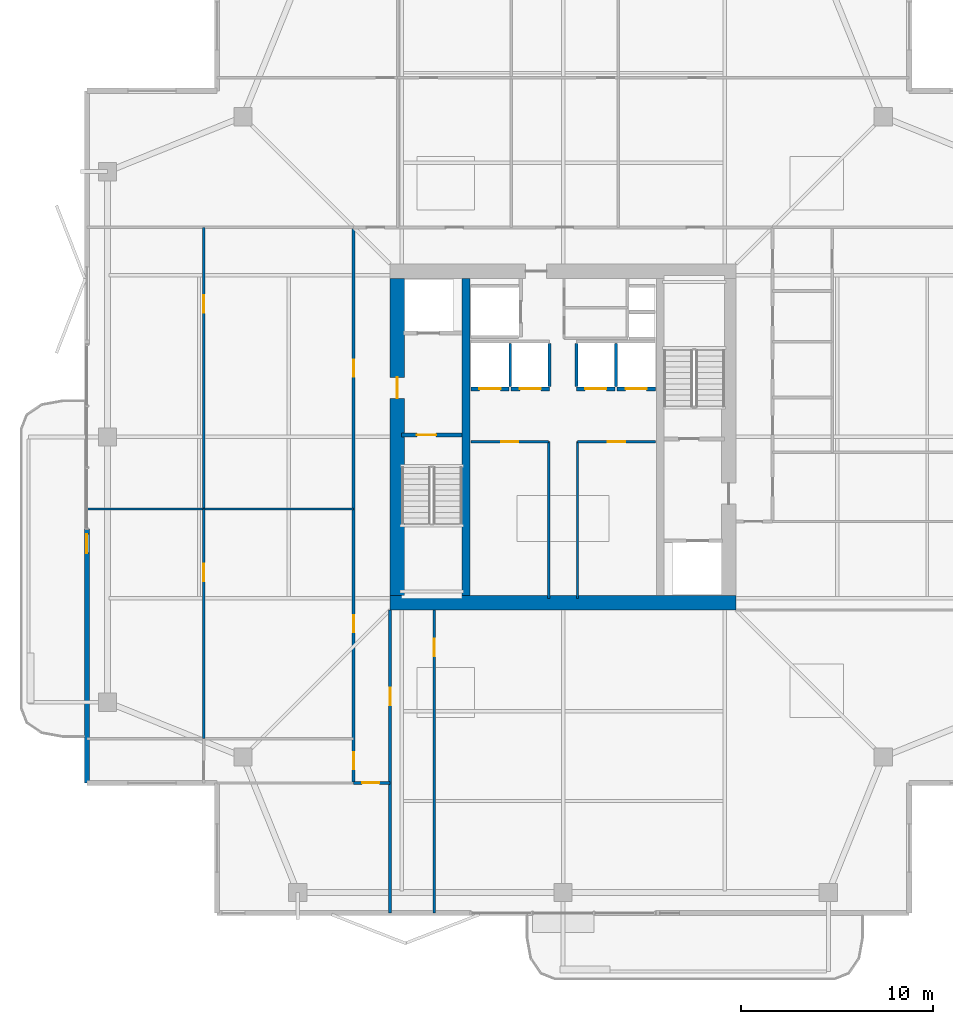
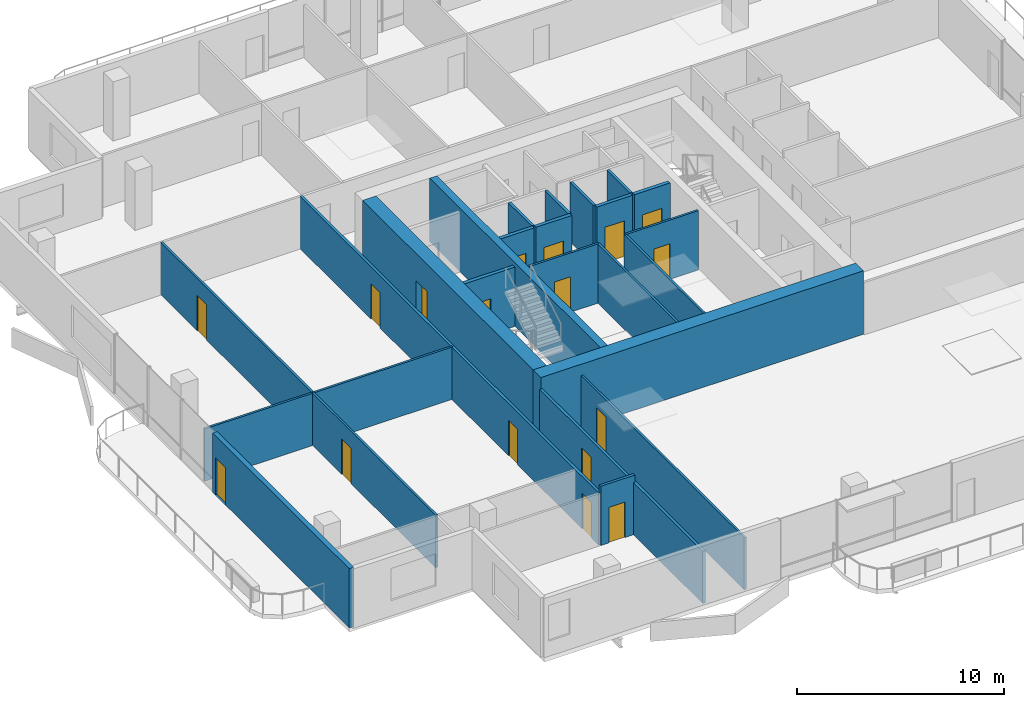
# One storey, part 18 of 25: 24 walls, 17 doors, 17 openings.
"""IFC4 building model written with IfcOpenShell, lengths in metres."""

from ifc_helpers import new_model, si_unit, direction, frame, frame_2d, origin, place, context, subcontext, project, spatial, rectangle, extrude, material, layer, layer_set, type_object, element, fill, save


model = new_model("IFC4")

# Units and contexts
model_context = context("Model", 3, precision=1e-05, world=origin(), true_north=direction((0.0, 1.0)))
body_context = subcontext(model_context, "Body", "Model", "MODEL_VIEW")
ifc_project = project(units=[si_unit("LENGTHUNIT", "METRE"), si_unit("AREAUNIT", "SQUARE_METRE"), si_unit("VOLUMEUNIT", "CUBIC_METRE"), si_unit("PLANEANGLEUNIT", "RADIAN"), si_unit("MASSUNIT", "GRAM", prefix="KILO")], contexts=[model_context])

# Site, building, storey
site_placement = place(None, origin())
site = spatial("IfcSite", under=ifc_project, at=site_placement, CompositionType="ELEMENT")
building_placement = place(site_placement, origin())
building = spatial("IfcBuilding", under=site, at=building_placement, Name="Belovzor Exchange Tower", CompositionType="ELEMENT")
storey_placement = place(building_placement, frame((0.0, 0.0, 269.10009765625)))
storey = spatial("IfcBuildingStorey", under=building, at=storey_placement, Name="L67", CompositionType="ELEMENT", Elevation=269.10009765625)

# Wall, opening, door
ifc_material_1 = material(Name="Acoustic Plasterboard on Galvanised Studs", Category="gypsum")
ifc_layer_1 = layer(ifc_material_1, 0.1201171875)
ifc_layer_set_1 = layer_set([ifc_layer_1], Name="Acoustic Plasterboard on Galvanised Studs")
wall_type_1 = type_object("IfcWallType", Name="Acoustic Double-Stud Partition Wall 120", PredefinedType="PARTITIONING", material=ifc_layer_set_1)
wall_1_placement = place(storey_placement, frame((10.114990234375, 13.10009765625, 0.0), z_axis=(0.0, 0.0, 1.0), x_axis=(0.0, 1.0, 0.0)))
wall_1 = element("IfcWall", 1, at=wall_1_placement, inside=storey, type_object=wall_type_1, Name="W-P120 Partition Wall W-L67-WHDIV-1", PredefinedType="PARTITIONING", context=body_context, shape_type="SweptSolid", body=[
    extrude(rectangle(XDim=11.954833984375, YDim=0.1201171875, at=frame_2d((5.9775390625, 0.0))), origin(), (0.0, 0.0, 1.0), 3.0849609375),
])
opening_1_placement = place(wall_1_placement, frame((8.19091796875, 0.0, 0.0)))
opening_1 = element("IfcOpeningElement", 2, at=opening_1_placement, cuts=wall_1, Name="Opening D-INT-090", PredefinedType="OPENING", context=body_context, shape_type="SweptSolid", body=[
    extrude(rectangle(XDim=0.89990234375, YDim=2.10009765625, at=frame_2d((0.449951171875, 1.050048828125))), frame((0.0, 0.070068359375, 0.0), z_axis=(0.0, -1.0, 0.0), x_axis=(1.0, 0.0, 0.0)), (0.0, 0.0, 1.0), 0.14013671875),
])
ifc_material_2 = material(Name="Veneered Hardwood Acoustic Leaf", Category="wood")
door_type_1 = type_object("IfcDoorType", Name="Trading Suite Acoustic Single Door 900x2100", OperationType="NOTDEFINED", PredefinedType="DOOR", material=ifc_material_2)
door_1_placement = place(opening_1_placement, origin())
door_1 = element("IfcDoor", 3, at=door_1_placement, inside=storey, type_object=door_type_1, Name="D-INT-090 Trading Suite Acoustic Single Door 900x2100", OperationType="SINGLE_SWING_LEFT", OverallHeight=2.10009765625, OverallWidth=0.89990234375, PredefinedType="DOOR", context=body_context, shape_type="SweptSolid", body=[
    extrude(rectangle(XDim=0.89990234375, YDim=2.10009765625, at=frame_2d((0.449951171875, 1.050048828125))), frame((0.0, 0.02490234375, 0.0), z_axis=(0.0, -1.0, 0.0), x_axis=(1.0, 0.0, 0.0)), (0.0, 0.0, 1.0), 0.050048828125),
])
fill(opening_1, door_1)

# Wall
wall_2_placement = place(storey_placement, frame((4.030029296875, 25.054931640625, 0.0), z_axis=(0.0, 0.0, 1.0), x_axis=(1.0, 0.0, 0.0)))
element("IfcWall", 4, at=wall_2_placement, inside=storey, type_object=wall_type_1, Name="W-P120 Partition Wall W-L67-WDIV-2", PredefinedType="PARTITIONING", context=body_context, shape_type="SweptSolid", body=[
    extrude(rectangle(XDim=13.869873046875, YDim=0.1201171875, at=frame_2d((6.93505859375, 0.0))), origin(), (0.0, 0.0, 1.0), 3.0849609375),
])

# Wall, opening, door
wall_3_placement = place(storey_placement, frame((10.114990234375, 25.054931640625, 0.0), z_axis=(0.0, 0.0, 1.0), x_axis=(0.0, 1.0, 0.0)))
wall_3 = element("IfcWall", 5, at=wall_3_placement, inside=storey, type_object=wall_type_1, Name="W-P120 Partition Wall W-L67-WHDIV-2", PredefinedType="PARTITIONING", context=body_context, shape_type="SweptSolid", body=[
    extrude(rectangle(XDim=14.64501953125, YDim=0.1201171875, at=frame_2d((7.322509765625, 0.0))), origin(), (0.0, 0.0, 1.0), 3.0849609375),
])
opening_2_placement = place(wall_3_placement, frame((10.208984375, 0.0, 0.0)))
opening_2 = element("IfcOpeningElement", 6, at=opening_2_placement, cuts=wall_3, Name="Opening D-INT-090", PredefinedType="OPENING", context=body_context, shape_type="SweptSolid", body=[
    extrude(rectangle(XDim=0.89990234375, YDim=2.10009765625, at=frame_2d((0.449951171875, 1.050048828125))), frame((0.0, 0.070068359375, 0.0), z_axis=(0.0, -1.0, 0.0), x_axis=(1.0, 0.0, 0.0)), (0.0, 0.0, 1.0), 0.14013671875),
])
door_2_placement = place(opening_2_placement, origin())
door_2 = element("IfcDoor", 7, at=door_2_placement, inside=storey, type_object=door_type_1, Name="D-INT-090 Trading Suite Acoustic Single Door 900x2100", OperationType="SINGLE_SWING_LEFT", OverallHeight=2.10009765625, OverallWidth=0.89990234375, PredefinedType="DOOR", context=body_context, shape_type="SweptSolid", body=[
    extrude(rectangle(XDim=0.89990234375, YDim=2.10009765625, at=frame_2d((0.449951171875, 1.050048828125))), frame((0.0, 0.02490234375, 0.0), z_axis=(0.0, -1.0, 0.0), x_axis=(1.0, 0.0, 0.0)), (0.0, 0.0, 1.0), 0.050048828125),
])
fill(opening_2, door_2)

wall_4_placement = place(storey_placement, frame((22.10009765625, 4.030029296875, 0.0), z_axis=(0.0, 0.0, 1.0), x_axis=(0.0, 1.0, 0.0)))
wall_4 = element("IfcWall", 8, at=wall_4_placement, inside=storey, type_object=wall_type_1, Name="W-P120 Partition Wall W-L67-SDIV-1", PredefinedType="PARTITIONING", context=body_context, shape_type="SweptSolid", body=[
    extrude(rectangle(XDim=15.77001953125, YDim=0.1201171875, at=frame_2d((7.885009765625, 0.0))), origin(), (0.0, 0.0, 1.0), 3.0849609375),
])
opening_3_placement = place(wall_4_placement, frame((13.3701171875, 0.0, 0.0)))
opening_3 = element("IfcOpeningElement", 9, at=opening_3_placement, cuts=wall_4, Name="Opening D-INT-090", PredefinedType="OPENING", context=body_context, shape_type="SweptSolid", body=[
    extrude(rectangle(XDim=0.89990234375, YDim=2.10009765625, at=frame_2d((0.449951171875, 1.050048828125))), frame((0.0, 0.070068359375, 0.0), z_axis=(0.0, -1.0, 0.0), x_axis=(1.0, 0.0, 0.0)), (0.0, 0.0, 1.0), 0.14013671875),
])
door_3_placement = place(opening_3_placement, origin())
door_3 = element("IfcDoor", 10, at=door_3_placement, inside=storey, type_object=door_type_1, Name="D-INT-090 Trading Suite Acoustic Single Door 900x2100", OperationType="SINGLE_SWING_LEFT", OverallHeight=2.10009765625, OverallWidth=0.89990234375, PredefinedType="DOOR", context=body_context, shape_type="SweptSolid", body=[
    extrude(rectangle(XDim=0.89990234375, YDim=2.10009765625, at=frame_2d((0.449951171875, 1.050048828125))), frame((0.0, 0.02490234375, 0.0), z_axis=(0.0, -1.0, 0.0), x_axis=(1.0, 0.0, 0.0)), (0.0, 0.0, 1.0), 0.050048828125),
])
fill(opening_3, door_3)

ifc_material_3 = material(Name="Fire-Rated Plasterboard on Galvanised Studs", Category="gypsum")
ifc_layer_2 = layer(ifc_material_3, 0.1201171875)
ifc_layer_set_2 = layer_set([ifc_layer_2], Name="Fire-Rated Plasterboard on Galvanised Studs")
wall_type_2 = type_object("IfcWallType", Name="Fire-Rated Double-Stud Partition Wall 120", PredefinedType="PARTITIONING", material=ifc_layer_set_2)
wall_5_placement = place(storey_placement, frame((24.0, 28.550048828125, 0.0), z_axis=(0.0, 0.0, 1.0), x_axis=(1.0, 0.0, 0.0)))
wall_5 = element("IfcWall", 11, at=wall_5_placement, inside=storey, type_object=wall_type_2, Name="W-P120F Partition Wall W-CRWB-L67-N", PredefinedType="PARTITIONING", context=body_context, shape_type="SweptSolid", body=[
    extrude(rectangle(XDim=4.050048828125, YDim=0.1201171875, at=frame_2d((2.02490234375, 0.0))), origin(), (0.0, 0.0, 1.0), 3.5),
])
opening_4_placement = place(wall_5_placement, frame((1.574951171875, 0.0, 0.0)))
opening_4 = element("IfcOpeningElement", 12, at=opening_4_placement, cuts=wall_5, Name="Opening D-FD60-090", PredefinedType="OPENING", context=body_context, shape_type="SweptSolid", body=[
    extrude(rectangle(XDim=0.89990234375, YDim=2.10009765625, at=frame_2d((0.449951171875, 1.050048828125))), frame((0.0, 0.070068359375, 0.0), z_axis=(0.0, -1.0, 0.0), x_axis=(1.0, 0.0, 0.0)), (0.0, 0.0, 1.0), 0.14013671875),
])
ifc_material_4 = material(Name="Acoustic Timber Fire Leaf", Category="wood")
door_type_2 = type_object("IfcDoorType", Name="Core Service & Restroom Fire Door 900x2100", OperationType="NOTDEFINED", PredefinedType="DOOR", material=ifc_material_4)
door_4_placement = place(opening_4_placement, origin())
door_4 = element("IfcDoor", 13, at=door_4_placement, inside=storey, type_object=door_type_2, Name="D-FD60-090 Core Service & Restroom Fire Door 900x2100", OperationType="SINGLE_SWING_LEFT", OverallHeight=2.10009765625, OverallWidth=0.89990234375, PredefinedType="DOOR", context=body_context, shape_type="SweptSolid", body=[
    extrude(rectangle(XDim=0.89990234375, YDim=2.10009765625, at=frame_2d((0.449951171875, 1.050048828125))), frame((0.0, 0.02490234375, 0.0), z_axis=(0.0, -1.0, 0.0), x_axis=(1.0, 0.0, 0.0)), (0.0, 0.0, 1.0), 0.050048828125),
])
fill(opening_4, door_4)

# Wall
wall_6_placement = place(storey_placement, frame((28.050048828125, 20.39990234375, 0.0), z_axis=(0.0, 0.0, 1.0), x_axis=(0.0, 1.0, 0.0)))
element("IfcWall", 14, at=wall_6_placement, inside=storey, type_object=wall_type_2, Name="W-P120F Partition Wall W-CRWB-L67-E", PredefinedType="PARTITIONING", context=body_context, shape_type="SweptSolid", body=[
    extrude(rectangle(XDim=8.150146484375, YDim=0.1201171875, at=frame_2d((4.0751953125, 0.0))), origin(), (0.0, 0.0, 1.0), 3.5),
])

# Wall, opening, door
wall_7_placement = place(storey_placement, frame((29.550048828125, 28.550048828125, 0.0), z_axis=(0.0, 0.0, 1.0), x_axis=(1.0, 0.0, 0.0)))
wall_7 = element("IfcWall", 15, at=wall_7_placement, inside=storey, type_object=wall_type_2, Name="W-P120F Partition Wall W-CREB-L67-N", PredefinedType="PARTITIONING", context=body_context, shape_type="SweptSolid", body=[
    extrude(rectangle(XDim=4.050048828125, YDim=0.1201171875, at=frame_2d((2.02490234375, 0.0))), origin(), (0.0, 0.0, 1.0), 3.5),
])
opening_5_placement = place(wall_7_placement, frame((1.574951171875, 0.0, 0.0)))
opening_5 = element("IfcOpeningElement", 16, at=opening_5_placement, cuts=wall_7, Name="Opening D-FD60-090", PredefinedType="OPENING", context=body_context, shape_type="SweptSolid", body=[
    extrude(rectangle(XDim=0.89990234375, YDim=2.10009765625, at=frame_2d((0.449951171875, 1.050048828125))), frame((0.0, 0.070068359375, 0.0), z_axis=(0.0, -1.0, 0.0), x_axis=(1.0, 0.0, 0.0)), (0.0, 0.0, 1.0), 0.14013671875),
])
door_5_placement = place(opening_5_placement, origin())
door_5 = element("IfcDoor", 17, at=door_5_placement, inside=storey, type_object=door_type_2, Name="D-FD60-090 Core Service & Restroom Fire Door 900x2100", OperationType="SINGLE_SWING_RIGHT", OverallHeight=2.10009765625, OverallWidth=0.89990234375, PredefinedType="DOOR", context=body_context, shape_type="SweptSolid", body=[
    extrude(rectangle(XDim=0.89990234375, YDim=2.10009765625, at=frame_2d((0.449951171875, 1.050048828125))), frame((0.0, 0.02490234375, 0.0), z_axis=(0.0, -1.0, 0.0), x_axis=(1.0, 0.0, 0.0)), (0.0, 0.0, 1.0), 0.050048828125),
])
fill(opening_5, door_5)

# Wall
wall_8_placement = place(storey_placement, frame((29.550048828125, 20.39990234375, 0.0), z_axis=(0.0, 0.0, 1.0), x_axis=(0.0, 1.0, 0.0)))
element("IfcWall", 18, at=wall_8_placement, inside=storey, type_object=wall_type_2, Name="W-P120F Partition Wall W-CREB-L67-W", PredefinedType="PARTITIONING", context=body_context, shape_type="SweptSolid", body=[
    extrude(rectangle(XDim=8.150146484375, YDim=0.1201171875, at=frame_2d((4.0751953125, 0.0))), origin(), (0.0, 0.0, 1.0), 3.5),
])

# Wall, opening, door
ifc_material_5 = material(Name="Fire-Rated Gypsum Block and Mineral Wool", Category="gypsum")
ifc_layer_3 = layer(ifc_material_5, 0.14990234375)
ifc_layer_set_3 = layer_set([ifc_layer_3], Name="Fire-Rated Gypsum Block and Mineral Wool")
wall_type_3 = type_object("IfcWallType", Name="Fire-Rated Gypsum Block Corridor Wall 150", PredefinedType="PARTITIONING", material=ifc_layer_set_3)
wall_9_placement = place(storey_placement, frame((17.89990234375, 10.800048828125, 0.0), z_axis=(0.0, 0.0, 1.0), x_axis=(1.0, 0.0, 0.0)))
wall_9 = element("IfcWall", 19, at=wall_9_placement, inside=storey, type_object=wall_type_3, Name="W-P150 Partition Wall W-L67-CW-END", PredefinedType="PARTITIONING", context=body_context, shape_type="SweptSolid", body=[
    extrude(rectangle(XDim=1.900146484375, YDim=0.14990234375, at=frame_2d((0.9501953125, 0.0))), origin(), (0.0, 0.0, 1.0), 3.5),
])
opening_6_placement = place(wall_9_placement, frame((0.449951171875, 0.0, 0.0)))
opening_6 = element("IfcOpeningElement", 20, at=opening_6_placement, cuts=wall_9, Name="Opening D-FD60-090", PredefinedType="OPENING", context=body_context, shape_type="SweptSolid", body=[
    extrude(rectangle(XDim=0.89990234375, YDim=2.10009765625, at=frame_2d((0.449951171875, 1.050048828125))), frame((0.0, 0.0849609375, 0.0), z_axis=(0.0, -1.0, 0.0), x_axis=(1.0, 0.0, 0.0)), (0.0, 0.0, 1.0), 0.169921875),
])
door_6_placement = place(opening_6_placement, origin())
door_6 = element("IfcDoor", 21, at=door_6_placement, inside=storey, type_object=door_type_2, Name="D-FD60-090 Core Service & Restroom Fire Door 900x2100", OperationType="SINGLE_SWING_LEFT", OverallHeight=2.10009765625, OverallWidth=0.89990234375, PredefinedType="DOOR", context=body_context, shape_type="SweptSolid", body=[
    extrude(rectangle(XDim=0.89990234375, YDim=2.10009765625, at=frame_2d((0.449951171875, 1.050048828125))), frame((0.0, 0.02490234375, 0.0), z_axis=(0.0, -1.0, 0.0), x_axis=(1.0, 0.0, 0.0)), (0.0, 0.0, 1.0), 0.050048828125),
])
fill(opening_6, door_6)

wall_10_placement = place(storey_placement, frame((19.800048828125, 4.030029296875, 0.0), z_axis=(0.0, 0.0, 1.0), x_axis=(0.0, 1.0, 0.0)))
wall_10 = element("IfcWall", 22, at=wall_10_placement, inside=storey, type_object=wall_type_3, Name="W-P150 Partition Wall W-L67-CW-E", PredefinedType="PARTITIONING", context=body_context, shape_type="SweptSolid", body=[
    extrude(rectangle(XDim=15.77001953125, YDim=0.14990234375, at=frame_2d((7.885009765625, 0.0))), origin(), (0.0, 0.0, 1.0), 3.0849609375),
])
opening_7_placement = place(wall_10_placement, frame((10.820068359375, 0.0, 0.0)))
opening_7 = element("IfcOpeningElement", 23, at=opening_7_placement, cuts=wall_10, Name="Opening D-FD60-090", PredefinedType="OPENING", context=body_context, shape_type="SweptSolid", body=[
    extrude(rectangle(XDim=0.89990234375, YDim=2.10009765625, at=frame_2d((0.449951171875, 1.050048828125))), frame((0.0, 0.0849609375, 0.0), z_axis=(0.0, -1.0, 0.0), x_axis=(1.0, 0.0, 0.0)), (0.0, 0.0, 1.0), 0.169921875),
])
door_7_placement = place(opening_7_placement, origin())
door_7 = element("IfcDoor", 24, at=door_7_placement, inside=storey, type_object=door_type_2, Name="D-FD60-090 Core Service & Restroom Fire Door 900x2100", OperationType="SINGLE_SWING_RIGHT", OverallHeight=2.10009765625, OverallWidth=0.89990234375, PredefinedType="DOOR", context=body_context, shape_type="SweptSolid", body=[
    extrude(rectangle(XDim=0.89990234375, YDim=2.10009765625, at=frame_2d((0.449951171875, 1.050048828125))), frame((0.0, 0.02490234375, 0.0), z_axis=(0.0, -1.0, 0.0), x_axis=(1.0, 0.0, 0.0)), (0.0, 0.0, 1.0), 0.050048828125),
])
fill(opening_7, door_7)

# Wall, openings, doors
wall_11_placement = place(storey_placement, frame((17.89990234375, 10.800048828125, 0.0), z_axis=(0.0, 0.0, 1.0), x_axis=(0.0, 1.0, 0.0)))
wall_11 = element("IfcWall", 25, at=wall_11_placement, inside=storey, type_object=wall_type_3, Name="W-P150 Partition Wall W-L67-CW", PredefinedType="PARTITIONING", context=body_context, shape_type="SweptSolid", body=[
    extrude(rectangle(XDim=28.89990234375, YDim=0.14990234375, at=frame_2d((14.449951171875, 0.0))), origin(), (0.0, 0.0, 1.0), 3.0849609375),
])
opening_8_placement = place(wall_11_placement, frame((0.699951171875, 0.0, 0.0)))
opening_8 = element("IfcOpeningElement", 26, at=opening_8_placement, cuts=wall_11, Name="Opening D-INT-090", PredefinedType="OPENING", context=body_context, shape_type="SweptSolid", body=[
    extrude(rectangle(XDim=0.89990234375, YDim=2.10009765625, at=frame_2d((0.449951171875, 1.050048828125))), frame((0.0, 0.0849609375, 0.0), z_axis=(0.0, -1.0, 0.0), x_axis=(1.0, 0.0, 0.0)), (0.0, 0.0, 1.0), 0.169921875),
])
opening_9_placement = place(wall_11_placement, frame((7.827880859375, 0.0, 0.0)))
opening_9 = element("IfcOpeningElement", 27, at=opening_9_placement, cuts=wall_11, Name="Opening D-INT-090", PredefinedType="OPENING", context=body_context, shape_type="SweptSolid", body=[
    extrude(rectangle(XDim=0.89990234375, YDim=2.10009765625, at=frame_2d((0.449951171875, 1.050048828125))), frame((0.0, 0.0849609375, 0.0), z_axis=(0.0, -1.0, 0.0), x_axis=(1.0, 0.0, 0.0)), (0.0, 0.0, 1.0), 0.169921875),
])
opening_10_placement = place(wall_11_placement, frame((21.126953125, 0.0, 0.0)))
opening_10 = element("IfcOpeningElement", 28, at=opening_10_placement, cuts=wall_11, Name="Opening D-INT-090", PredefinedType="OPENING", context=body_context, shape_type="SweptSolid", body=[
    extrude(rectangle(XDim=0.89990234375, YDim=2.10009765625, at=frame_2d((0.449951171875, 1.050048828125))), frame((0.0, 0.0849609375, 0.0), z_axis=(0.0, -1.0, 0.0), x_axis=(1.0, 0.0, 0.0)), (0.0, 0.0, 1.0), 0.169921875),
])
door_8_placement = place(opening_8_placement, origin())
door_8 = element("IfcDoor", 29, at=door_8_placement, inside=storey, type_object=door_type_1, Name="D-INT-090 Trading Suite Acoustic Single Door 900x2100", OperationType="SINGLE_SWING_RIGHT", OverallHeight=2.10009765625, OverallWidth=0.89990234375, PredefinedType="DOOR", context=body_context, shape_type="SweptSolid", body=[
    extrude(rectangle(XDim=0.89990234375, YDim=2.10009765625, at=frame_2d((0.449951171875, 1.050048828125))), frame((0.0, 0.02490234375, 0.0), z_axis=(0.0, -1.0, 0.0), x_axis=(1.0, 0.0, 0.0)), (0.0, 0.0, 1.0), 0.050048828125),
])
fill(opening_8, door_8)
door_9_placement = place(opening_9_placement, origin())
door_9 = element("IfcDoor", 30, at=door_9_placement, inside=storey, type_object=door_type_1, Name="D-INT-090 Trading Suite Acoustic Single Door 900x2100", OperationType="SINGLE_SWING_LEFT", OverallHeight=2.10009765625, OverallWidth=0.89990234375, PredefinedType="DOOR", context=body_context, shape_type="SweptSolid", body=[
    extrude(rectangle(XDim=0.89990234375, YDim=2.10009765625, at=frame_2d((0.449951171875, 1.050048828125))), frame((0.0, 0.02490234375, 0.0), z_axis=(0.0, -1.0, 0.0), x_axis=(1.0, 0.0, 0.0)), (0.0, 0.0, 1.0), 0.050048828125),
])
fill(opening_9, door_9)
door_10_placement = place(opening_10_placement, origin())
door_10 = element("IfcDoor", 31, at=door_10_placement, inside=storey, type_object=door_type_1, Name="D-INT-090 Trading Suite Acoustic Single Door 900x2100", OperationType="SINGLE_SWING_RIGHT", OverallHeight=2.10009765625, OverallWidth=0.89990234375, PredefinedType="DOOR", context=body_context, shape_type="SweptSolid", body=[
    extrude(rectangle(XDim=0.89990234375, YDim=2.10009765625, at=frame_2d((0.449951171875, 1.050048828125))), frame((0.0, 0.02490234375, 0.0), z_axis=(0.0, -1.0, 0.0), x_axis=(1.0, 0.0, 0.0)), (0.0, 0.0, 1.0), 0.050048828125),
])
fill(opening_10, door_10)

# Wall, opening, door
ifc_material_6 = material(Name="Precast concrete C40/50", Category="concrete")
ifc_layer_4 = layer(ifc_material_6, 0.260009765625)
ifc_layer_set_4 = layer_set([ifc_layer_4], Name="Precast concrete C40/50")
wall_type_4 = type_object("IfcWallType", Name="Precast Concrete Perimeter Loggia Frame Wall 260", PredefinedType="SOLIDWALL", material=ifc_layer_set_4)
wall_12_placement = place(storey_placement, frame((4.030029296875, 10.800048828125, 0.0), z_axis=(0.0, 0.0, 1.0), x_axis=(0.0, 1.0, 0.0)))
wall_12 = element("IfcWall", 32, at=wall_12_placement, inside=storey, type_object=wall_type_4, Name="W-EXT260 Precast Concrete Perimeter Loggia Frame Wall 260 L67", PredefinedType="SOLIDWALL", context=body_context, shape_type="SweptSolid", body=[
    extrude(rectangle(XDim=13.199951171875, YDim=0.260009765625, at=frame_2d((6.60009765625, 0.0))), origin(), (0.0, 0.0, 1.0), 3.5),
])
opening_11_placement = place(wall_12_placement, frame((11.949951171875, 0.0, 0.0)))
opening_11 = element("IfcOpeningElement", 33, at=opening_11_placement, cuts=wall_12, Name="Opening D-BAL100", PredefinedType="OPENING", context=body_context, shape_type="SweptSolid", body=[
    extrude(rectangle(XDim=1.0, YDim=2.199951171875, at=frame_2d((0.5, 1.10009765625))), frame((0.0, 0.139892578125, 0.0), z_axis=(0.0, -1.0, 0.0), x_axis=(1.0, 0.0, 0.0)), (0.0, 0.0, 1.0), 0.280029296875),
])
ifc_material_7 = material(Name="Thermally Broken Anodised Aluminium and Laminated Glass", Category="aluminium")
door_type_3 = type_object("IfcDoorType", Name="Planted Loggia Terrace Glazed Door 1000x2200", OperationType="SINGLE_SWING_LEFT", PredefinedType="DOOR", material=ifc_material_7)
door_11_placement = place(opening_11_placement, origin())
door_11 = element("IfcDoor", 34, at=door_11_placement, inside=storey, type_object=door_type_3, Name="D-BAL100 Balcony Terrace Door L67 W", OperationType="SINGLE_SWING_RIGHT", OverallHeight=2.199951171875, OverallWidth=1.0, PredefinedType="DOOR", context=body_context, shape_type="SweptSolid", body=[
    extrude(rectangle(XDim=1.0, YDim=2.199951171875, at=frame_2d((0.5, 1.10009765625))), frame((0.0, 0.02490234375, 0.0), z_axis=(0.0, -1.0, 0.0), x_axis=(1.0, 0.0, 0.0)), (0.0, 0.0, 1.0), 0.050048828125),
])
fill(opening_11, door_11)

# Walls
ifc_material_8 = material(Name="Concrete C50/60", Category="concrete")
ifc_layer_5 = layer(ifc_material_8, 0.39990234375)
ifc_layer_set_5 = layer_set([ifc_layer_5], Name="Concrete C50/60")
wall_type_5 = type_object("IfcWallType", Name="Reinforced Concrete Core Internal Web Wall 400", PredefinedType="SHEAR", material=ifc_layer_set_5)
wall_13_placement = place(storey_placement, frame((23.75, 20.550048828125, 0.0), z_axis=(0.0, 0.0, 1.0), x_axis=(0.0, 1.0, 0.0)))
element("IfcWall", 35, at=wall_13_placement, inside=storey, type_object=wall_type_5, Name="CW-W040 Core Internal Web Wall L67 WL", PredefinedType="SHEAR", context=body_context, shape_type="SweptSolid", body=[
    extrude(rectangle(XDim=16.5, YDim=0.39990234375, at=frame_2d((8.25, 0.0))), origin(), (0.0, 0.0, 1.0), 3.75),
])
ifc_material_9 = material(Name="Concrete C50/60", Category="concrete")
ifc_layer_6 = layer(ifc_material_9, 0.14990234375)
ifc_layer_set_6 = layer_set([ifc_layer_6], Name="Concrete C50/60")
wall_type_6 = type_object("IfcWallType", Name="Reinforced Concrete Core Riser Shear Wall 150", PredefinedType="SHEAR", material=ifc_layer_set_6)
for number, where, z_axis, x_axis, name in (
    (36, (26.050048828125, 31.419921875, 0.0), (0.0, 0.0, 1.0), (0.0, 1.0, 0.0), "W-C150S Core Shaft Wall W-SHD-L67-PLH-1"),
    (37, (28.10009765625, 31.419921875, 0.0), (0.0, 0.0, 1.0), (0.0, 1.0, 0.0), "W-C150S Core Shaft Wall W-SHD-L67-PLH-2"),
    (38, (29.5, 31.419921875, 0.0), (0.0, 0.0, 1.0), (0.0, 1.0, 0.0), "W-C150S Core Shaft Wall W-SHD-L67-PLH-3"),
    (39, (31.550048828125, 31.419921875, 0.0), (0.0, 0.0, 1.0), (0.0, 1.0, 0.0), "W-C150S Core Shaft Wall W-SHD-L67-PLH-4"),
):
    element("IfcWall", number, at=place(storey_placement, frame(where, z_axis=z_axis, x_axis=x_axis)), inside=storey, type_object=wall_type_6, Name=name, PredefinedType="SHEAR", context=body_context, shape_type="SweptSolid", body=[
        extrude(rectangle(XDim=2.239990234375, YDim=0.14990234375, at=frame_2d((1.1201171875, 0.0))), origin(), (0.0, 0.0, 1.0), 3.5),
    ])

# Wall, opening, door
ifc_material_10 = material(Name="Concrete C50/60", Category="concrete")
ifc_layer_7 = layer(ifc_material_10, 0.199951171875)
ifc_layer_set_7 = layer_set([ifc_layer_7], Name="Concrete C50/60")
wall_type_7 = type_object("IfcWallType", Name="Reinforced Concrete Core Shaft Shear Wall 200", PredefinedType="SHEAR", material=ifc_layer_set_7)
wall_14_placement = place(storey_placement, frame((20.39990234375, 28.89990234375, 0.0), z_axis=(0.0, 0.0, 1.0), x_axis=(1.0, 0.0, 0.0)))
wall_14 = element("IfcWall", 40, at=wall_14_placement, inside=storey, type_object=wall_type_7, Name="W-C200S Core Shaft Wall W-CORE-L67-FFLW1", PredefinedType="SHEAR", context=body_context, shape_type="SweptSolid", body=[
    extrude(rectangle(XDim=3.150146484375, YDim=0.199951171875, at=frame_2d((1.5751953125, 0.0))), origin(), (0.0, 0.0, 1.0), 3.5),
])
opening_12_placement = place(wall_14_placement, frame((0.800048828125, 0.0, 0.0)))
opening_12 = element("IfcOpeningElement", 41, at=opening_12_placement, cuts=wall_14, Name="Opening D-FD90-100", PredefinedType="OPENING", context=body_context, shape_type="SweptSolid", body=[
    extrude(rectangle(XDim=1.0, YDim=2.10009765625, at=frame_2d((0.5, 1.050048828125))), frame((0.0, 0.10986328125, 0.0), z_axis=(0.0, -1.0, 0.0), x_axis=(1.0, 0.0, 0.0)), (0.0, 0.0, 1.0), 0.219970703125),
])
ifc_material_11 = material(Name="Fire-Rated Galvanised Steel Leaf", Category="steel")
door_type_4 = type_object("IfcDoorType", Name="Protected Stairwell Single Fire Door 1000x2100", OperationType="NOTDEFINED", PredefinedType="DOOR", material=ifc_material_11)
door_12_placement = place(opening_12_placement, origin())
door_12 = element("IfcDoor", 42, at=door_12_placement, inside=storey, type_object=door_type_4, Name="D-FD90-100 Protected Stairwell Single Fire Door 1000x2100", OperationType="SINGLE_SWING_RIGHT", OverallHeight=2.10009765625, OverallWidth=1.0, PredefinedType="DOOR", context=body_context, shape_type="SweptSolid", body=[
    extrude(rectangle(XDim=1.0, YDim=2.10009765625, at=frame_2d((0.5, 1.050048828125))), frame((0.0, 0.02490234375, 0.0), z_axis=(0.0, -1.0, 0.0), x_axis=(1.0, 0.0, 0.0)), (0.0, 0.0, 1.0), 0.050048828125),
])
fill(opening_12, door_12)

wall_15_placement = place(storey_placement, frame((24.0, 31.300048828125, 0.0), z_axis=(0.0, 0.0, 1.0), x_axis=(1.0, 0.0, 0.0)))
wall_15 = element("IfcWall", 43, at=wall_15_placement, inside=storey, type_object=wall_type_7, Name="W-C200S Core Shaft Wall W-SH-L67-PL-H1", PredefinedType="SHEAR", context=body_context, shape_type="SweptSolid", body=[
    extrude(rectangle(XDim=2.0, YDim=0.199951171875, at=frame_2d((1.0, 0.0))), origin(), (0.0, 0.0, 1.0), 3.5),
])
opening_13_placement = place(wall_15_placement, frame((0.449951171875, 0.0, 0.0)))
opening_13 = element("IfcOpeningElement", 44, at=opening_13_placement, cuts=wall_15, Name="Opening LD-110", PredefinedType="OPENING", context=body_context, shape_type="SweptSolid", body=[
    extrude(rectangle(XDim=1.10009765625, YDim=2.14990234375, at=frame_2d((0.550048828125, 1.074951171875))), frame((0.0, 0.10986328125, 0.0), z_axis=(0.0, -1.0, 0.0), x_axis=(1.0, 0.0, 0.0)), (0.0, 0.0, 1.0), 0.219970703125),
])
ifc_material_12 = material(Name="Stainless Steel Grade 304", Category="steel")
door_type_5 = type_object("IfcDoorType", Name="Automated Stainless Steel Lift Landing Door 1100x2150", OperationType="SLIDING_TO_RIGHT", PredefinedType="DOOR", material=ifc_material_12)
door_13_placement = place(opening_13_placement, origin())
door_13 = element("IfcDoor", 45, at=door_13_placement, inside=storey, type_object=door_type_5, Name="LD-110 Automated Stainless Steel Lift Landing Door 1100x2150", OperationType="SLIDING_TO_RIGHT", OverallHeight=2.14990234375, OverallWidth=1.10009765625, PredefinedType="DOOR", context=body_context, shape_type="SweptSolid", body=[
    extrude(rectangle(XDim=1.10009765625, YDim=2.14990234375, at=frame_2d((0.550048828125, 1.074951171875))), frame((0.0, 0.02490234375, 0.0), z_axis=(0.0, -1.0, 0.0), x_axis=(1.0, 0.0, 0.0)), (0.0, 0.0, 1.0), 0.050048828125),
])
fill(opening_13, door_13)

wall_16_placement = place(storey_placement, frame((26.10009765625, 31.300048828125, 0.0), z_axis=(0.0, 0.0, 1.0), x_axis=(1.0, 0.0, 0.0)))
wall_16 = element("IfcWall", 46, at=wall_16_placement, inside=storey, type_object=wall_type_7, Name="W-C200S Core Shaft Wall W-SH-L67-PL-H2", PredefinedType="SHEAR", context=body_context, shape_type="SweptSolid", body=[
    extrude(rectangle(XDim=2.0, YDim=0.199951171875, at=frame_2d((1.0, 0.0))), origin(), (0.0, 0.0, 1.0), 3.5),
])
opening_14_placement = place(wall_16_placement, frame((0.449951171875, 0.0, 0.0)))
opening_14 = element("IfcOpeningElement", 47, at=opening_14_placement, cuts=wall_16, Name="Opening LD-110", PredefinedType="OPENING", context=body_context, shape_type="SweptSolid", body=[
    extrude(rectangle(XDim=1.10009765625, YDim=2.14990234375, at=frame_2d((0.550048828125, 1.074951171875))), frame((0.0, 0.10986328125, 0.0), z_axis=(0.0, -1.0, 0.0), x_axis=(1.0, 0.0, 0.0)), (0.0, 0.0, 1.0), 0.219970703125),
])
door_14_placement = place(opening_14_placement, origin())
door_14 = element("IfcDoor", 48, at=door_14_placement, inside=storey, type_object=door_type_5, Name="LD-110 Automated Stainless Steel Lift Landing Door 1100x2150", OperationType="SLIDING_TO_RIGHT", OverallHeight=2.14990234375, OverallWidth=1.10009765625, PredefinedType="DOOR", context=body_context, shape_type="SweptSolid", body=[
    extrude(rectangle(XDim=1.10009765625, YDim=2.14990234375, at=frame_2d((0.550048828125, 1.074951171875))), frame((0.0, 0.02490234375, 0.0), z_axis=(0.0, -1.0, 0.0), x_axis=(1.0, 0.0, 0.0)), (0.0, 0.0, 1.0), 0.050048828125),
])
fill(opening_14, door_14)

wall_17_placement = place(storey_placement, frame((29.5, 31.300048828125, 0.0), z_axis=(0.0, 0.0, 1.0), x_axis=(1.0, 0.0, 0.0)))
wall_17 = element("IfcWall", 49, at=wall_17_placement, inside=storey, type_object=wall_type_7, Name="W-C200S Core Shaft Wall W-SH-L67-PL-H3", PredefinedType="SHEAR", context=body_context, shape_type="SweptSolid", body=[
    extrude(rectangle(XDim=2.0, YDim=0.199951171875, at=frame_2d((1.0, 0.0))), origin(), (0.0, 0.0, 1.0), 3.5),
])
opening_15_placement = place(wall_17_placement, frame((0.449951171875, 0.0, 0.0)))
opening_15 = element("IfcOpeningElement", 50, at=opening_15_placement, cuts=wall_17, Name="Opening LD-110", PredefinedType="OPENING", context=body_context, shape_type="SweptSolid", body=[
    extrude(rectangle(XDim=1.10009765625, YDim=2.14990234375, at=frame_2d((0.550048828125, 1.074951171875))), frame((0.0, 0.10986328125, 0.0), z_axis=(0.0, -1.0, 0.0), x_axis=(1.0, 0.0, 0.0)), (0.0, 0.0, 1.0), 0.219970703125),
])
door_15_placement = place(opening_15_placement, origin())
door_15 = element("IfcDoor", 51, at=door_15_placement, inside=storey, type_object=door_type_5, Name="LD-110 Automated Stainless Steel Lift Landing Door 1100x2150", OperationType="SLIDING_TO_RIGHT", OverallHeight=2.14990234375, OverallWidth=1.10009765625, PredefinedType="DOOR", context=body_context, shape_type="SweptSolid", body=[
    extrude(rectangle(XDim=1.10009765625, YDim=2.14990234375, at=frame_2d((0.550048828125, 1.074951171875))), frame((0.0, 0.02490234375, 0.0), z_axis=(0.0, -1.0, 0.0), x_axis=(1.0, 0.0, 0.0)), (0.0, 0.0, 1.0), 0.050048828125),
])
fill(opening_15, door_15)

wall_18_placement = place(storey_placement, frame((31.60009765625, 31.300048828125, 0.0), z_axis=(0.0, 0.0, 1.0), x_axis=(1.0, 0.0, 0.0)))
wall_18 = element("IfcWall", 52, at=wall_18_placement, inside=storey, type_object=wall_type_7, Name="W-C200S Core Shaft Wall W-SH-L67-PL-H4", PredefinedType="SHEAR", context=body_context, shape_type="SweptSolid", body=[
    extrude(rectangle(XDim=2.0, YDim=0.199951171875, at=frame_2d((1.0, 0.0))), origin(), (0.0, 0.0, 1.0), 3.5),
])
opening_16_placement = place(wall_18_placement, frame((0.449951171875, 0.0, 0.0)))
opening_16 = element("IfcOpeningElement", 53, at=opening_16_placement, cuts=wall_18, Name="Opening LD-110", PredefinedType="OPENING", context=body_context, shape_type="SweptSolid", body=[
    extrude(rectangle(XDim=1.10009765625, YDim=2.14990234375, at=frame_2d((0.550048828125, 1.074951171875))), frame((0.0, 0.10986328125, 0.0), z_axis=(0.0, -1.0, 0.0), x_axis=(1.0, 0.0, 0.0)), (0.0, 0.0, 1.0), 0.219970703125),
])
door_16_placement = place(opening_16_placement, origin())
door_16 = element("IfcDoor", 54, at=door_16_placement, inside=storey, type_object=door_type_5, Name="LD-110 Automated Stainless Steel Lift Landing Door 1100x2150", OperationType="SLIDING_TO_RIGHT", OverallHeight=2.14990234375, OverallWidth=1.10009765625, PredefinedType="DOOR", context=body_context, shape_type="SweptSolid", body=[
    extrude(rectangle(XDim=1.10009765625, YDim=2.14990234375, at=frame_2d((0.550048828125, 1.074951171875))), frame((0.0, 0.02490234375, 0.0), z_axis=(0.0, -1.0, 0.0), x_axis=(1.0, 0.0, 0.0)), (0.0, 0.0, 1.0), 0.050048828125),
])
fill(opening_16, door_16)

# Wall
ifc_material_13 = material(Name="Concrete C50/60", Category="concrete")
ifc_layer_8 = layer(ifc_material_13, 0.75)
ifc_layer_set_8 = layer_set([ifc_layer_8], Name="Concrete C50/60")
wall_type_8 = type_object("IfcWallType", Name="Reinforced Concrete Core Shear Wall 750", PredefinedType="SHEAR", material=ifc_layer_set_8)
wall_19_placement = place(storey_placement, frame((19.800048828125, 20.175048828125, 0.0), z_axis=(0.0, 0.0, 1.0), x_axis=(1.0, 0.0, 0.0)))
element("IfcWall", 55, at=wall_19_placement, inside=storey, type_object=wall_type_8, Name="CW-S075 Core Shear Wall L67 S", PredefinedType="SHEAR", context=body_context, shape_type="SweptSolid", body=[
    extrude(rectangle(XDim=18.0, YDim=0.75, at=frame_2d((9.0, 0.0))), origin(), (0.0, 0.0, 1.0), 3.75),
])

# Wall, opening, door
wall_20_placement = place(storey_placement, frame((20.175048828125, 20.550048828125, 0.0), z_axis=(0.0, 0.0, 1.0), x_axis=(0.0, 1.0, 0.0)))
wall_20 = element("IfcWall", 56, at=wall_20_placement, inside=storey, type_object=wall_type_8, Name="CW-S075 Core Shear Wall L67 W", PredefinedType="SHEAR", context=body_context, shape_type="SweptSolid", body=[
    extrude(rectangle(XDim=16.5, YDim=0.75, at=frame_2d((8.25, 0.0))), origin(), (0.0, 0.0, 1.0), 3.75),
])
opening_17_placement = place(wall_20_placement, frame((10.25, 0.0, 0.0)))
opening_17 = element("IfcOpeningElement", 57, at=opening_17_placement, cuts=wall_20, Name="Opening D-FD90-110", PredefinedType="OPENING", context=body_context, shape_type="SweptSolid", body=[
    extrude(rectangle(XDim=1.10009765625, YDim=2.14990234375, at=frame_2d((0.550048828125, 1.074951171875))), frame((0.0, 0.385009765625, 0.0), z_axis=(0.0, -1.0, 0.0), x_axis=(1.0, 0.0, 0.0)), (0.0, 0.0, 1.0), 0.77001953125),
])
ifc_material_14 = material(Name="Fire-Rated Galvanised Steel Leaf", Category="steel")
door_type_6 = type_object("IfcDoorType", Name="Protected Escape Vestibule Fire Door 1100x2150", OperationType="NOTDEFINED", PredefinedType="DOOR", material=ifc_material_14)
door_17_placement = place(opening_17_placement, origin())
door_17 = element("IfcDoor", 58, at=door_17_placement, inside=storey, type_object=door_type_6, Name="D-FD90-110 Protected Escape Vestibule Fire Door 1100x2150", OperationType="SINGLE_SWING_LEFT", OverallHeight=2.14990234375, OverallWidth=1.10009765625, PredefinedType="DOOR", context=body_context, shape_type="SweptSolid", body=[
    extrude(rectangle(XDim=1.10009765625, YDim=2.14990234375, at=frame_2d((0.550048828125, 1.074951171875))), frame((0.0, 0.02490234375, 0.0), z_axis=(0.0, -1.0, 0.0), x_axis=(1.0, 0.0, 0.0)), (0.0, 0.0, 1.0), 0.050048828125),
])
fill(opening_17, door_17)

save(model, "model.ifc")
